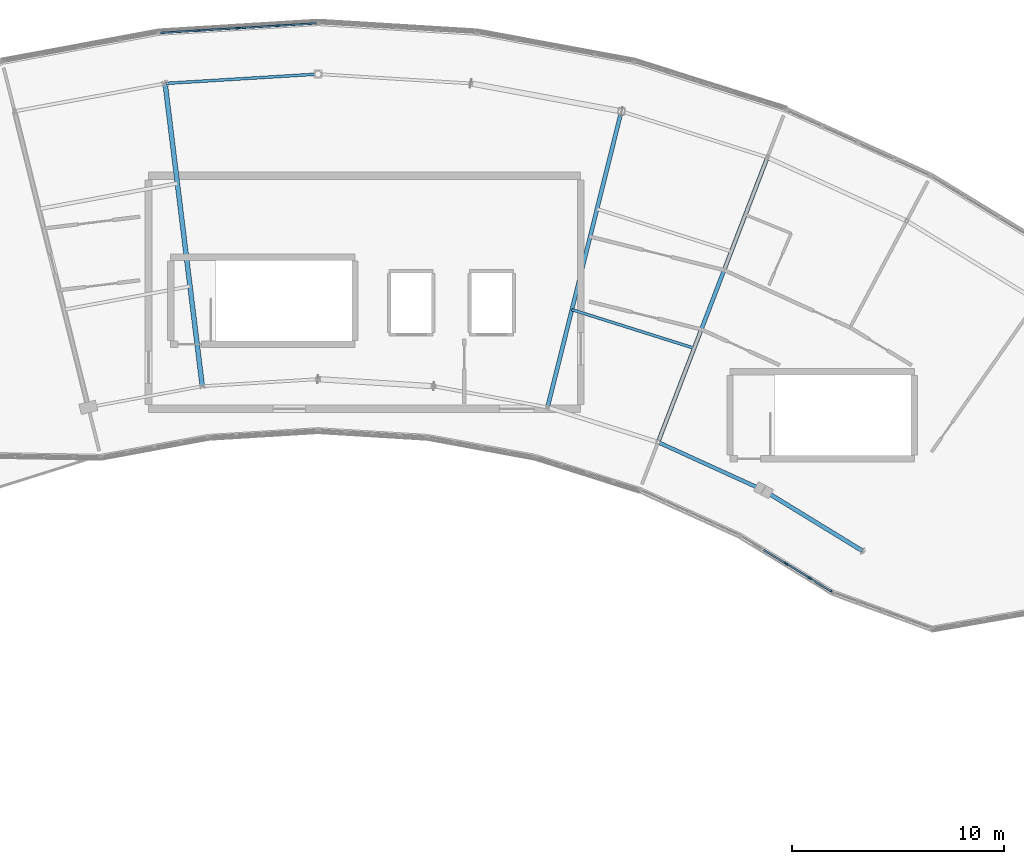
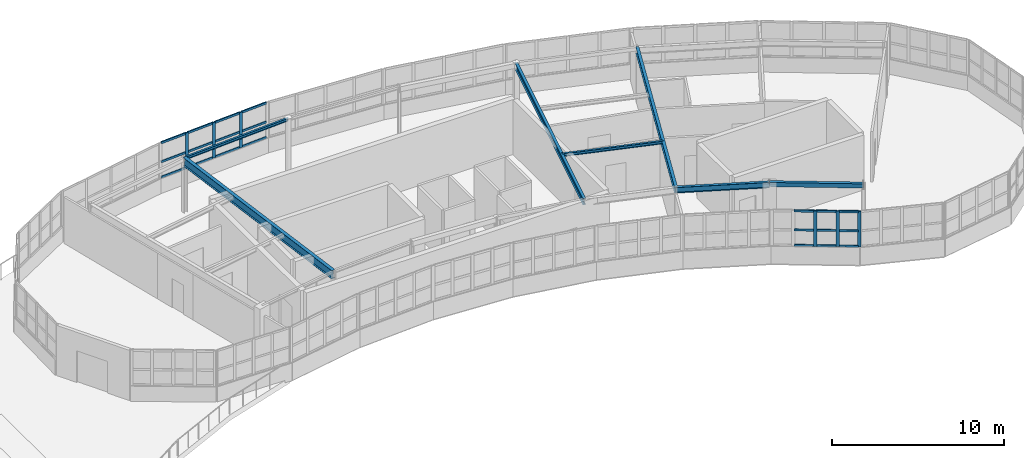
# One storey, part 10 of 26: 27 members, 7 beams, 2 elements without a shape of their own.
"""IFC4 building model written with IfcOpenShell, lengths in metres."""

from ifc_helpers import new_model, si_unit, direction, frame, origin, origin_2d, place, context, subcontext, project, spatial, rectangle, hollow_rectangle, i_section, extrude, material, layer, layer_set, material_profile, profile_set, type_object, element, aggregate, save


model = new_model("IFC4")

# Units and contexts
model_context = context("Model", 3, precision=1e-05, world=origin(), true_north=direction((0.0, 1.0)))
body_context = subcontext(model_context, "Body", "Model", "MODEL_VIEW")
ifc_project = project(units=[si_unit("LENGTHUNIT", "METRE"), si_unit("AREAUNIT", "SQUARE_METRE"), si_unit("VOLUMEUNIT", "CUBIC_METRE"), si_unit("PLANEANGLEUNIT", "RADIAN"), si_unit("MASSUNIT", "GRAM", prefix="KILO")], contexts=[model_context])

# Site, building, storey
site_placement = place(None, origin())
site = spatial("IfcSite", under=ifc_project, at=site_placement, CompositionType="ELEMENT")
building_placement = place(site_placement, origin())
building = spatial("IfcBuilding", under=site, at=building_placement, Name="Tarnwether General Hospital", CompositionType="ELEMENT")
storey_placement = place(building_placement, frame((0.0, 0.0, 30.0)))
storey = spatial("IfcBuildingStorey", under=building, at=storey_placement, Name="L07", CompositionType="ELEMENT", Elevation=30.0)

# Beams
ifc_material_1 = material(Name="Steel Grade 350 (350 MPa)", Category="steel")
ifc_material_profile_1 = material_profile(ifc_material_1, i_section(OverallWidth=0.22802734375, OverallDepth=0.60205078125, WebThickness=0.010498046875, FlangeThickness=0.014892578125, at=origin_2d()), Name="610UB101")
ifc_profile_set_1 = profile_set([ifc_material_profile_1], Name="Steel Grade 350 (350 MPa)")
beam_type_1 = type_object("IfcBeamType", Name="BM-G05", PredefinedType="BEAM", material=ifc_profile_set_1)
beam_1_placement = place(storey_placement, frame((84.784912109375, 121.759033203125, 3.59912109375), z_axis=(0.121881045946, -0.99254471468, 0.0), x_axis=(0.99254471468, 0.121881045946, 0.0)))
element("IfcBeam", 1, at=beam_1_placement, inside=storey, type_object=beam_type_1, Name="Curved Ward NW Radial Girder BMG-L07-8478_12176-8654_10747-2046", PredefinedType="BEAM", context=body_context, shape_type="SweptSolid", body=[
    extrude(i_section(OverallWidth=0.22802734375, OverallDepth=0.60205078125, WebThickness=0.010498046875, FlangeThickness=0.014892578125, at=origin_2d()), origin(), (0.0, 0.0, 1.0), 14.400390625),
])
ifc_material_2 = material(Name="Steel Grade 350 (350 MPa)", Category="steel")
ifc_material_profile_2 = material_profile(ifc_material_2, i_section(OverallWidth=0.19091796875, OverallDepth=0.4599609375, WebThickness=0.010009765625, FlangeThickness=0.01611328125, at=origin_2d()), Name="460UB82.1")
ifc_profile_set_2 = profile_set([ifc_material_profile_2], Name="Steel Grade 350 (350 MPa)")
beam_type_2 = type_object("IfcBeamType", Name="BM-G08", PredefinedType="BEAM", material=ifc_profile_set_2)
beam_2_placement = place(storey_placement, frame((106.322021484375, 120.44189453125, 3.669921875), z_axis=(-0.241941215118, -0.970290909175, 0.0), x_axis=(0.970290909175, -0.241941215118, 0.0)))
element("IfcBeam", 2, at=beam_2_placement, inside=storey, type_object=beam_type_2, Name="Curved Ward NW Radial Girder BMG-L07-10632_12044-10284_10647-2047", PredefinedType="BEAM", context=body_context, shape_type="SweptSolid", body=[
    extrude(i_section(OverallWidth=0.19091796875, OverallDepth=0.4599609375, WebThickness=0.010009765625, FlangeThickness=0.01611328125, at=origin_2d()), origin(), (0.0, 0.0, 1.0), 14.400634765625),
])
ifc_material_3 = material(Name="Steel Grade 350 (350 MPa)", Category="steel")
ifc_material_profile_3 = material_profile(ifc_material_3, i_section(OverallWidth=0.18994140625, OverallDepth=0.45703125, WebThickness=0.009033203125, FlangeThickness=0.014404296875, at=origin_2d()), Name="460UB74.6")
ifc_profile_set_3 = profile_set([ifc_material_profile_3], Name="Steel Grade 350 (350 MPa)")
beam_type_3 = type_object("IfcBeamType", Name="BM-G09", PredefinedType="BEAM", material=ifc_profile_set_3)
beam_3_placement = place(storey_placement, frame((113.215087890625, 118.26806640625, 3.67138671875), z_axis=(-0.358334838026, -0.933593136145, 0.0), x_axis=(0.933593136145, -0.358334838026, 0.0)))
element("IfcBeam", 3, at=beam_3_placement, inside=storey, type_object=beam_type_3, Name="Curved Ward NW Radial Girder BMG-L07-11322_11827-10806_10482-2048", PredefinedType="BEAM", context=body_context, shape_type="SweptSolid", body=[
    extrude(i_section(OverallWidth=0.18994140625, OverallDepth=0.45703125, WebThickness=0.009033203125, FlangeThickness=0.014404296875, at=origin_2d()), origin(), (0.0, 0.0, 1.0), 14.400390625),
])
ifc_material_4 = material(Name="Steel Grade 350 (350 MPa)", Category="steel")
ifc_material_profile_4 = material_profile(ifc_material_4, i_section(OverallWidth=0.134033203125, OverallDepth=0.20703125, WebThickness=0.00634765625, FlangeThickness=0.009521484375, at=origin_2d()), Name="200UB29.8")
ifc_profile_set_4 = profile_set([ifc_material_profile_4], Name="Steel Grade 350 (350 MPa)")
beam_type_4 = type_object("IfcBeamType", Name="BM-J12", PredefinedType="JOIST", material=ifc_profile_set_4)
beam_4_placement = place(storey_placement, frame((103.988037109375, 111.080078125, 3.79638671875), z_axis=(0.953725879816, -0.300677478654, 0.0), x_axis=(0.300677478654, 0.953725879816, 0.0)))
element("IfcBeam", 4, at=beam_4_placement, inside=storey, type_object=beam_type_4, Name="Curved Ward NW Chord Joist BMG-L07-10399_11108-10976_10926-2062", PredefinedType="JOIST", context=body_context, shape_type="SweptSolid", body=[
    extrude(i_section(OverallWidth=0.134033203125, OverallDepth=0.20703125, WebThickness=0.00634765625, FlangeThickness=0.009521484375, at=origin_2d()), origin(), (0.0, 0.0, 1.0), 6.050048828125),
])
ifc_material_5 = material(Name="Steel Grade 350 (350 MPa)", Category="steel")
ifc_material_profile_5 = material_profile(ifc_material_5, i_section(OverallWidth=0.177978515625, OverallDepth=0.403076171875, WebThickness=0.007568359375, FlangeThickness=0.010986328125, at=origin_2d()), Name="410UB53.7")
ifc_profile_set_5 = profile_set([ifc_material_profile_5], Name="Steel Grade 350 (350 MPa)")
beam_type_5 = type_object("IfcBeamType", Name="BM-SP2", PredefinedType="SPANDREL", material=ifc_profile_set_5)
beam_5_placement = place(storey_placement, frame((108.054931640625, 104.823974609375, 3.698486328125), z_axis=(0.909968605358, -0.414677148228, 0.0), x_axis=(0.414677148228, 0.909968605358, 0.0)))
element("IfcBeam", 5, at=beam_5_placement, inside=storey, type_object=beam_type_5, Name="Curved Ward NW Inner Spandrel BMG-L07-10806_10482-11303_10256-2064", PredefinedType="SPANDREL", context=body_context, shape_type="SweptSolid", body=[
    extrude(i_section(OverallWidth=0.177978515625, OverallDepth=0.403076171875, WebThickness=0.007568359375, FlangeThickness=0.010986328125, at=origin_2d()), origin(), (0.0, 0.0, 1.0), 5.469482421875),
])
ifc_material_6 = material(Name="Steel Grade C350L0 (350 MPa)", Category="steel")
ifc_material_profile_6 = material_profile(ifc_material_6, hollow_rectangle(XDim=0.199951171875, YDim=0.300048828125, WallThickness=0.012451171875, at=origin_2d()), Name="RHS300x200x12.5")
ifc_profile_set_6 = profile_set([ifc_material_profile_6], Name="Steel Grade C350L0 (350 MPa)")
beam_type_6 = type_object("IfcBeamType", Name="BM-SP3", PredefinedType="SPANDREL", material=ifc_profile_set_6)
beam_6_placement = place(storey_placement, frame((113.031982421875, 102.555908203125, 3.75), z_axis=(0.85265897909, -0.522467860617, 0.0), x_axis=(0.522467860617, 0.85265897909, 0.0)))
element("IfcBeam", 6, at=beam_6_placement, inside=storey, type_object=beam_type_6, Name="Curved Ward NW Inner Spandrel BMG-L07-11303_10256-11770_9970-2066", PredefinedType="SPANDREL", context=body_context, shape_type="SweptSolid", body=[
    extrude(hollow_rectangle(XDim=0.199951171875, YDim=0.300048828125, WallThickness=0.012451171875, at=origin_2d()), origin(), (0.0, 0.0, 1.0), 5.469970703125),
])
ifc_material_7 = material(Name="Steel Grade 350 (350 MPa)", Category="steel")
ifc_material_profile_7 = material_profile(ifc_material_7, i_section(OverallWidth=0.133056640625, OverallDepth=0.202880859375, WebThickness=0.005859375, FlangeThickness=0.0078125, at=origin_2d()), Name="200UB25.4")
ifc_profile_set_7 = profile_set([ifc_material_profile_7], Name="Steel Grade 350 (350 MPa)")
beam_type_7 = type_object("IfcBeamType", Name="BM-SP5", PredefinedType="SPANDREL", material=ifc_profile_set_7)
beam_7_placement = place(storey_placement, frame((84.784912109375, 121.759033203125, 3.798583984375), z_axis=(0.998137964221, 0.060996757127, 0.0), x_axis=(-0.060996757127, 0.998137964221, 0.0)))
element("IfcBeam", 7, at=beam_7_placement, inside=storey, type_object=beam_type_7, Name="Curved Ward NW Outer Spandrel BMG-L07-8478_12176-9200_12220-2053", PredefinedType="SPANDREL", context=body_context, shape_type="SweptSolid", body=[
    extrude(i_section(OverallWidth=0.133056640625, OverallDepth=0.202880859375, WebThickness=0.005859375, FlangeThickness=0.0078125, at=origin_2d()), origin(), (0.0, 0.0, 1.0), 7.228515625),
])

# Curtain wall, members
ifc_material_8 = material(Name="Anodised aluminium", Category="aluminium")
ifc_layer_1 = layer(ifc_material_8, 0.159912109375)
ifc_layer_set_1 = layer_set([ifc_layer_1], Name="Anodised aluminium")
curtain_wall_type_1 = type_object("IfcCurtainWallType", Name="CW-03", PredefinedType="NOTDEFINED", material=ifc_layer_set_1)
curtain_wall_1_placement = place(storey_placement, origin())
curtain_wall_1 = element("IfcCurtainWall", 8, at=curtain_wall_1_placement, inside=storey, type_object=curtain_wall_type_1, Name="Curtain Wall CWG-L07-1163_977-0139", PredefinedType="NOTDEFINED")
ifc_material_9 = material(Name="Anodised aluminium", Category="aluminium")
ifc_material_profile_8 = material_profile(ifc_material_9, rectangle(XDim=0.080078125, YDim=0.199951171875, at=origin_2d()), Name="ALU-MUL-80x200")
ifc_profile_set_8 = profile_set([ifc_material_profile_8], Name="Anodised aluminium")
member_type_1 = type_object("IfcMemberType", Name="CW-ML4", PredefinedType="MULLION", material=ifc_profile_set_8)
member_1_placement = place(storey_placement, frame((116.285888671875, 97.7529296875, 1.050048828125), z_axis=(0.0, 0.0, 1.0), x_axis=(-0.522512231483, -0.852631789198, 0.0)))
member_1 = element("IfcMember", 9, at=member_1_placement, type_object=member_type_1, Name="CW-03 mullion 1", PredefinedType="MULLION", context=body_context, shape_type="SweptSolid", body=[
    extrude(rectangle(XDim=0.080078125, YDim=0.199951171875, at=origin_2d()), origin(), (0.0, 0.0, 1.0), 2.52001953125),
])
member_2_placement = place(storey_placement, frame((115.216552734375, 98.408203125, 1.050048828125), z_axis=(0.0, 0.0, 1.0), x_axis=(-0.522512231483, -0.852631789198, 0.0)))
member_2 = element("IfcMember", 10, at=member_2_placement, type_object=member_type_1, Name="CW-03 mullion 2", PredefinedType="MULLION", context=body_context, shape_type="SweptSolid", body=[
    extrude(rectangle(XDim=0.080078125, YDim=0.199951171875, at=origin_2d()), origin(), (0.0, 0.0, 1.0), 2.52001953125),
])
member_3_placement = place(storey_placement, frame((114.113037109375, 99.08447265625, 1.050048828125), z_axis=(0.0, 0.0, 1.0), x_axis=(-0.522512231483, -0.852631789198, 0.0)))
member_3 = element("IfcMember", 11, at=member_3_placement, type_object=member_type_1, Name="CW-03 mullion 3", PredefinedType="MULLION", context=body_context, shape_type="SweptSolid", body=[
    extrude(rectangle(XDim=0.080078125, YDim=0.199951171875, at=origin_2d()), origin(), (0.0, 0.0, 1.0), 2.52001953125),
])

ifc_material_10 = material(Name="Anodised aluminium", Category="aluminium")
ifc_layer_2 = layer(ifc_material_10, 0.179931640625)
ifc_layer_set_2 = layer_set([ifc_layer_2], Name="Anodised aluminium")
curtain_wall_type_2 = type_object("IfcCurtainWallType", Name="CW-07", PredefinedType="NOTDEFINED", material=ifc_layer_set_2)
curtain_wall_2_placement = place(storey_placement, origin())
curtain_wall_2 = element("IfcCurtainWall", 12, at=curtain_wall_2_placement, inside=storey, type_object=curtain_wall_type_2, Name="Curtain Wall CWG-L07-845_1241-0151", PredefinedType="NOTDEFINED")
member_4_placement = place(storey_placement, frame((86.36962890625, 124.255859375, 1.050048828125), z_axis=(0.0, 0.0, 1.0), x_axis=(-0.061028962567, 0.998135995608, 0.0)))
member_4 = element("IfcMember", 13, at=member_4_placement, type_object=member_type_1, Name="CW-07 mullion 2", PredefinedType="MULLION", context=body_context, shape_type="SweptSolid", body=[
    extrude(rectangle(XDim=0.080078125, YDim=0.199951171875, at=origin_2d()), origin(), (0.0, 0.0, 1.0), 2.52001953125),
])
member_5_placement = place(storey_placement, frame((88.24658203125, 124.37060546875, 1.050048828125), z_axis=(0.0, 0.0, 1.0), x_axis=(-0.061028962567, 0.998135995608, 0.0)))
member_5 = element("IfcMember", 14, at=member_5_placement, type_object=member_type_1, Name="CW-07 mullion 3", PredefinedType="MULLION", context=body_context, shape_type="SweptSolid", body=[
    extrude(rectangle(XDim=0.080078125, YDim=0.199951171875, at=origin_2d()), origin(), (0.0, 0.0, 1.0), 2.52001953125),
])
member_6_placement = place(storey_placement, frame((90.123291015625, 124.4853515625, 1.050048828125), z_axis=(0.0, 0.0, 1.0), x_axis=(-0.061028962567, 0.998135995608, 0.0)))
member_6 = element("IfcMember", 15, at=member_6_placement, type_object=member_type_1, Name="CW-07 mullion 4", PredefinedType="MULLION", context=body_context, shape_type="SweptSolid", body=[
    extrude(rectangle(XDim=0.080078125, YDim=0.199951171875, at=origin_2d()), origin(), (0.0, 0.0, 1.0), 2.52001953125),
])

# Member
ifc_material_11 = material(Name="Anodised aluminium", Category="aluminium")
ifc_material_profile_9 = material_profile(ifc_material_11, rectangle(XDim=0.080078125, YDim=0.14990234375, at=origin_2d()), Name="ALU-TRN-80x150")
ifc_profile_set_9 = profile_set([ifc_material_profile_9], Name="Anodised aluminium")
member_type_2 = type_object("IfcMemberType", Name="CW-TR4", PredefinedType="USERDEFINED", material=ifc_profile_set_9)
member_7_placement = place(storey_placement, frame((116.251708984375, 97.773681640625, 1.090087890625), z_axis=(-0.852556431864, 0.522635179153, 0.0), x_axis=(-0.522635179153, -0.852556431864, 0.0)))
member_7 = element("IfcMember", 16, at=member_7_placement, type_object=member_type_2, Name="CW-03 transom 1.1", ObjectType="TRANSOM", PredefinedType="USERDEFINED", context=body_context, shape_type="SweptSolid", body=[
    extrude(rectangle(XDim=0.080078125, YDim=0.14990234375, at=origin_2d()), origin(), (0.0, 0.0, 1.0), 1.17431640625),
])

member_8_placement = place(storey_placement, frame((116.251708984375, 97.773681640625, 2.18408203125), z_axis=(-0.852556431864, 0.522635179153, 0.0), x_axis=(-0.522635179153, -0.852556431864, 0.0)))
member_8 = element("IfcMember", 17, at=member_8_placement, type_object=member_type_2, Name="CW-03 transom 1.2", ObjectType="TRANSOM", PredefinedType="USERDEFINED", context=body_context, shape_type="SweptSolid", body=[
    extrude(rectangle(XDim=0.080078125, YDim=0.14990234375, at=origin_2d()), origin(), (0.0, 0.0, 1.0), 1.17431640625),
])

member_9_placement = place(storey_placement, frame((116.251708984375, 97.773681640625, 3.530029296875), z_axis=(-0.852556431864, 0.522635179153, 0.0), x_axis=(-0.522635179153, -0.852556431864, 0.0)))
member_9 = element("IfcMember", 18, at=member_9_placement, type_object=member_type_2, Name="CW-03 transom 1.3", ObjectType="TRANSOM", PredefinedType="USERDEFINED", context=body_context, shape_type="SweptSolid", body=[
    extrude(rectangle(XDim=0.080078125, YDim=0.14990234375, at=origin_2d()), origin(), (0.0, 0.0, 1.0), 1.17431640625),
])

member_10_placement = place(storey_placement, frame((115.182373046875, 98.42919921875, 1.090087890625), z_axis=(-0.852575241884, 0.522604493787, 0.0), x_axis=(-0.522604493787, -0.852575241884, 0.0)))
member_10 = element("IfcMember", 19, at=member_10_placement, type_object=member_type_2, Name="CW-03 transom 2.1", ObjectType="TRANSOM", PredefinedType="USERDEFINED", context=body_context, shape_type="SweptSolid", body=[
    extrude(rectangle(XDim=0.080078125, YDim=0.14990234375, at=origin_2d()), origin(), (0.0, 0.0, 1.0), 1.214111328125),
])

member_11_placement = place(storey_placement, frame((115.182373046875, 98.42919921875, 2.18408203125), z_axis=(-0.852575241884, 0.522604493787, 0.0), x_axis=(-0.522604493787, -0.852575241884, 0.0)))
member_11 = element("IfcMember", 20, at=member_11_placement, type_object=member_type_2, Name="CW-03 transom 2.2", ObjectType="TRANSOM", PredefinedType="USERDEFINED", context=body_context, shape_type="SweptSolid", body=[
    extrude(rectangle(XDim=0.080078125, YDim=0.14990234375, at=origin_2d()), origin(), (0.0, 0.0, 1.0), 1.214111328125),
])

member_12_placement = place(storey_placement, frame((115.182373046875, 98.42919921875, 3.530029296875), z_axis=(-0.852575241884, 0.522604493787, 0.0), x_axis=(-0.522604493787, -0.852575241884, 0.0)))
member_12 = element("IfcMember", 21, at=member_12_placement, type_object=member_type_2, Name="CW-03 transom 2.3", ObjectType="TRANSOM", PredefinedType="USERDEFINED", context=body_context, shape_type="SweptSolid", body=[
    extrude(rectangle(XDim=0.080078125, YDim=0.14990234375, at=origin_2d()), origin(), (0.0, 0.0, 1.0), 1.214111328125),
])

member_13_placement = place(storey_placement, frame((114.078857421875, 99.10546875, 1.090087890625), z_axis=(-0.852664831486, 0.522458309482, 0.0), x_axis=(-0.522458309482, -0.852664831486, 0.0)))
member_13 = element("IfcMember", 22, at=member_13_placement, type_object=member_type_2, Name="CW-03 transom 3.1", ObjectType="TRANSOM", PredefinedType="USERDEFINED", context=body_context, shape_type="SweptSolid", body=[
    extrude(rectangle(XDim=0.080078125, YDim=0.14990234375, at=origin_2d()), origin(), (0.0, 0.0, 1.0), 1.214111328125),
])

member_14_placement = place(storey_placement, frame((114.078857421875, 99.10546875, 2.18408203125), z_axis=(-0.852664831486, 0.522458309482, 0.0), x_axis=(-0.522458309482, -0.852664831486, 0.0)))
member_14 = element("IfcMember", 23, at=member_14_placement, type_object=member_type_2, Name="CW-03 transom 3.2", ObjectType="TRANSOM", PredefinedType="USERDEFINED", context=body_context, shape_type="SweptSolid", body=[
    extrude(rectangle(XDim=0.080078125, YDim=0.14990234375, at=origin_2d()), origin(), (0.0, 0.0, 1.0), 1.214111328125),
])

member_15_placement = place(storey_placement, frame((114.078857421875, 99.10546875, 3.530029296875), z_axis=(-0.852664831486, 0.522458309482, 0.0), x_axis=(-0.522458309482, -0.852664831486, 0.0)))
member_15 = element("IfcMember", 24, at=member_15_placement, type_object=member_type_2, Name="CW-03 transom 3.3", ObjectType="TRANSOM", PredefinedType="USERDEFINED", context=body_context, shape_type="SweptSolid", body=[
    extrude(rectangle(XDim=0.080078125, YDim=0.14990234375, at=origin_2d()), origin(), (0.0, 0.0, 1.0), 1.214111328125),
])

aggregate(curtain_wall_1, [member_1, member_2, member_3, member_7, member_8, member_9, member_10, member_11, member_12, member_13, member_14, member_15])

member_16_placement = place(storey_placement, frame((84.57275390625, 124.14599609375, 1.090087890625), z_axis=(0.998136381592, 0.061022649423, 0.0), x_axis=(-0.061022649423, 0.998136381592, 0.0)))
member_16 = element("IfcMember", 25, at=member_16_placement, type_object=member_type_2, Name="CW-07 transom 1.1", ObjectType="TRANSOM", PredefinedType="USERDEFINED", context=body_context, shape_type="SweptSolid", body=[
    extrude(rectangle(XDim=0.080078125, YDim=0.14990234375, at=origin_2d()), origin(), (0.0, 0.0, 1.0), 1.76025390625),
])

member_17_placement = place(storey_placement, frame((84.57275390625, 124.14599609375, 2.18408203125), z_axis=(0.998136381592, 0.061022649423, 0.0), x_axis=(-0.061022649423, 0.998136381592, 0.0)))
member_17 = element("IfcMember", 26, at=member_17_placement, type_object=member_type_2, Name="CW-07 transom 1.2", ObjectType="TRANSOM", PredefinedType="USERDEFINED", context=body_context, shape_type="SweptSolid", body=[
    extrude(rectangle(XDim=0.080078125, YDim=0.14990234375, at=origin_2d()), origin(), (0.0, 0.0, 1.0), 1.76025390625),
])

member_18_placement = place(storey_placement, frame((84.57275390625, 124.14599609375, 3.530029296875), z_axis=(0.998136381592, 0.061022649423, 0.0), x_axis=(-0.061022649423, 0.998136381592, 0.0)))
member_18 = element("IfcMember", 27, at=member_18_placement, type_object=member_type_2, Name="CW-07 transom 1.3", ObjectType="TRANSOM", PredefinedType="USERDEFINED", context=body_context, shape_type="SweptSolid", body=[
    extrude(rectangle(XDim=0.080078125, YDim=0.14990234375, at=origin_2d()), origin(), (0.0, 0.0, 1.0), 1.76025390625),
])

member_19_placement = place(storey_placement, frame((86.40966796875, 124.25830078125, 1.090087890625), z_axis=(0.998136094647, 0.061027342743, 0.0), x_axis=(-0.061027342743, 0.998136094647, 0.0)))
member_19 = element("IfcMember", 28, at=member_19_placement, type_object=member_type_2, Name="CW-07 transom 2.1", ObjectType="TRANSOM", PredefinedType="USERDEFINED", context=body_context, shape_type="SweptSolid", body=[
    extrude(rectangle(XDim=0.080078125, YDim=0.14990234375, at=origin_2d()), origin(), (0.0, 0.0, 1.0), 1.80029296875),
])

member_20_placement = place(storey_placement, frame((86.40966796875, 124.25830078125, 2.18408203125), z_axis=(0.998136094647, 0.061027342743, 0.0), x_axis=(-0.061027342743, 0.998136094647, 0.0)))
member_20 = element("IfcMember", 29, at=member_20_placement, type_object=member_type_2, Name="CW-07 transom 2.2", ObjectType="TRANSOM", PredefinedType="USERDEFINED", context=body_context, shape_type="SweptSolid", body=[
    extrude(rectangle(XDim=0.080078125, YDim=0.14990234375, at=origin_2d()), origin(), (0.0, 0.0, 1.0), 1.80029296875),
])

member_21_placement = place(storey_placement, frame((86.40966796875, 124.25830078125, 3.530029296875), z_axis=(0.998136094647, 0.061027342743, 0.0), x_axis=(-0.061027342743, 0.998136094647, 0.0)))
member_21 = element("IfcMember", 30, at=member_21_placement, type_object=member_type_2, Name="CW-07 transom 2.3", ObjectType="TRANSOM", PredefinedType="USERDEFINED", context=body_context, shape_type="SweptSolid", body=[
    extrude(rectangle(XDim=0.080078125, YDim=0.14990234375, at=origin_2d()), origin(), (0.0, 0.0, 1.0), 1.80029296875),
])

member_22_placement = place(storey_placement, frame((88.286376953125, 124.373046875, 1.090087890625), z_axis=(0.998136094647, 0.061027342743, 0.0), x_axis=(-0.061027342743, 0.998136094647, 0.0)))
member_22 = element("IfcMember", 31, at=member_22_placement, type_object=member_type_2, Name="CW-07 transom 3.1", ObjectType="TRANSOM", PredefinedType="USERDEFINED", context=body_context, shape_type="SweptSolid", body=[
    extrude(rectangle(XDim=0.080078125, YDim=0.14990234375, at=origin_2d()), origin(), (0.0, 0.0, 1.0), 1.80029296875),
])

member_23_placement = place(storey_placement, frame((88.286376953125, 124.373046875, 2.18408203125), z_axis=(0.998136094647, 0.061027342743, 0.0), x_axis=(-0.061027342743, 0.998136094647, 0.0)))
member_23 = element("IfcMember", 32, at=member_23_placement, type_object=member_type_2, Name="CW-07 transom 3.2", ObjectType="TRANSOM", PredefinedType="USERDEFINED", context=body_context, shape_type="SweptSolid", body=[
    extrude(rectangle(XDim=0.080078125, YDim=0.14990234375, at=origin_2d()), origin(), (0.0, 0.0, 1.0), 1.80029296875),
])

member_24_placement = place(storey_placement, frame((88.286376953125, 124.373046875, 3.530029296875), z_axis=(0.998136094647, 0.061027342743, 0.0), x_axis=(-0.061027342743, 0.998136094647, 0.0)))
member_24 = element("IfcMember", 33, at=member_24_placement, type_object=member_type_2, Name="CW-07 transom 3.3", ObjectType="TRANSOM", PredefinedType="USERDEFINED", context=body_context, shape_type="SweptSolid", body=[
    extrude(rectangle(XDim=0.080078125, YDim=0.14990234375, at=origin_2d()), origin(), (0.0, 0.0, 1.0), 1.80029296875),
])

member_25_placement = place(storey_placement, frame((90.1630859375, 124.48779296875, 1.090087890625), z_axis=(0.998136381592, 0.061022649423, 0.0), x_axis=(-0.061022649423, 0.998136381592, 0.0)))
member_25 = element("IfcMember", 34, at=member_25_placement, type_object=member_type_2, Name="CW-07 transom 4.1", ObjectType="TRANSOM", PredefinedType="USERDEFINED", context=body_context, shape_type="SweptSolid", body=[
    extrude(rectangle(XDim=0.080078125, YDim=0.14990234375, at=origin_2d()), origin(), (0.0, 0.0, 1.0), 1.76025390625),
])

member_26_placement = place(storey_placement, frame((90.1630859375, 124.48779296875, 2.18408203125), z_axis=(0.998136381592, 0.061022649423, 0.0), x_axis=(-0.061022649423, 0.998136381592, 0.0)))
member_26 = element("IfcMember", 35, at=member_26_placement, type_object=member_type_2, Name="CW-07 transom 4.2", ObjectType="TRANSOM", PredefinedType="USERDEFINED", context=body_context, shape_type="SweptSolid", body=[
    extrude(rectangle(XDim=0.080078125, YDim=0.14990234375, at=origin_2d()), origin(), (0.0, 0.0, 1.0), 1.76025390625),
])

member_27_placement = place(storey_placement, frame((90.1630859375, 124.48779296875, 3.530029296875), z_axis=(0.998136381592, 0.061022649423, 0.0), x_axis=(-0.061022649423, 0.998136381592, 0.0)))
member_27 = element("IfcMember", 36, at=member_27_placement, type_object=member_type_2, Name="CW-07 transom 4.3", ObjectType="TRANSOM", PredefinedType="USERDEFINED", context=body_context, shape_type="SweptSolid", body=[
    extrude(rectangle(XDim=0.080078125, YDim=0.14990234375, at=origin_2d()), origin(), (0.0, 0.0, 1.0), 1.76025390625),
])

aggregate(curtain_wall_2, [member_4, member_5, member_6, member_16, member_17, member_18, member_19, member_20, member_21, member_22, member_23, member_24, member_25, member_26, member_27])

save(model, "model.ifc")
